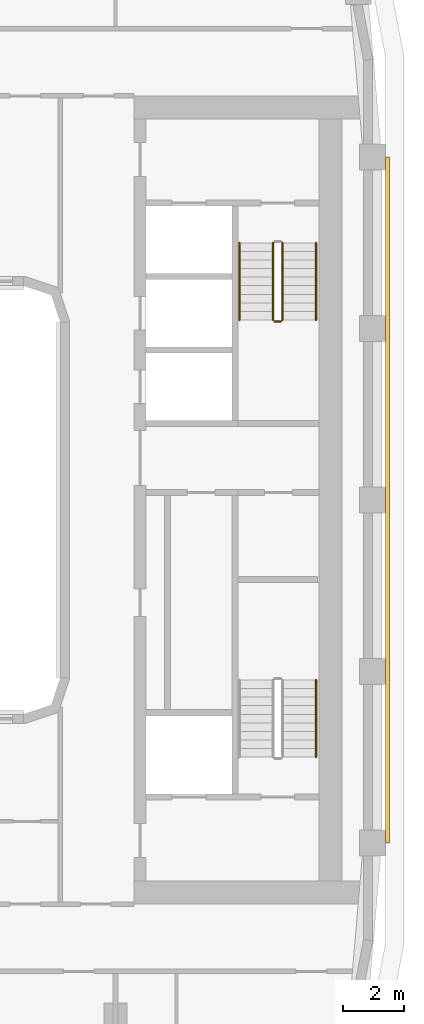
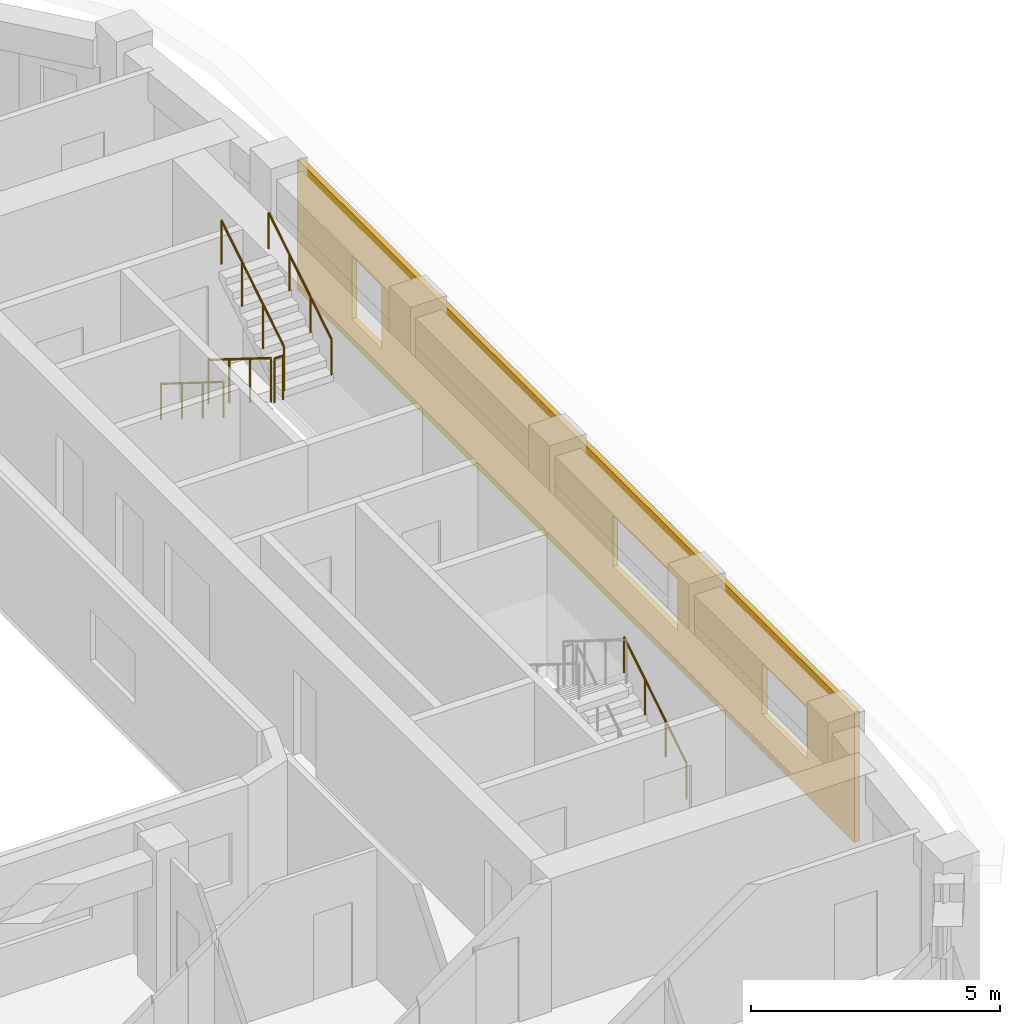
# One storey, part 18 of 21: 6 railings, 1 covering.
"""IFC4 building model written with IfcOpenShell, lengths in metres."""

from ifc_helpers import new_model, si_unit, direction, frame, origin, origin_2d, place, context, subcontext, project, spatial, polyline, circle, outline, extrude, material, layer, layer_set, type_object, element, save


model = new_model("IFC4")

# Units and contexts
model_context = context("Model", 3, precision=1e-05, world=origin(), true_north=direction((0.0, 1.0)))
body_context = subcontext(model_context, "Body", "Model", "MODEL_VIEW")
ifc_project = project(units=[si_unit("LENGTHUNIT", "METRE"), si_unit("AREAUNIT", "SQUARE_METRE"), si_unit("VOLUMEUNIT", "CUBIC_METRE"), si_unit("PLANEANGLEUNIT", "RADIAN"), si_unit("MASSUNIT", "GRAM", prefix="KILO")], contexts=[model_context])

# Site, building, storey
site_placement = place(None, origin())
site = spatial("IfcSite", under=ifc_project, at=site_placement, CompositionType="ELEMENT")
building_placement = place(site_placement, origin())
building = spatial("IfcBuilding", under=site, at=building_placement, Name="Kiln Ring Residences", CompositionType="ELEMENT")
storey_placement = place(building_placement, frame((0.0, 0.0, 223.89990234375)))
storey = spatial("IfcBuildingStorey", under=building, at=storey_placement, Name="L58", CompositionType="ELEMENT", Elevation=223.89990234375)

# Railings
ifc_material_1 = material(Name="Stainless steel", Category="steel")
railing_type_1 = type_object("IfcRailingType", Name="CORE-STAIR-GUARD", PredefinedType="GUARDRAIL", material=ifc_material_1)
railing_1_placement = place(storey_placement, frame((21.949951171875, 8.39990234375, 0.175048828125)))
element("IfcRailing", 1, at=railing_1_placement, inside=storey, type_object=railing_type_1, Name="L58 E-STN stair guard 1", PredefinedType="GUARDRAIL", context=body_context, shape_type="SweptSolid", body=[
    extrude(circle(Radius=0.02392578125, at=origin_2d()), frame((0.0, 0.0, 1.076171875), z_axis=(0.0, -0.848007534815, 0.529984170421), x_axis=(1.0, 0.0, 0.0)), (0.0, 0.0, 1.0), 2.9716796875),
    extrude(circle(Radius=0.02099609375, at=origin_2d()), origin(), (0.0, 0.0, 1.0), 1.052001953125),
    extrude(circle(Radius=0.02099609375, at=origin_2d()), frame((0.0, -0.840087890625, 0.52490234375)), (0.0, 0.0, 1.0), 1.052001953125),
    extrude(circle(Radius=0.02099609375, at=origin_2d()), frame((0.0, -1.679931640625, 1.050048828125)), (0.0, 0.0, 1.0), 1.052001953125),
    extrude(circle(Radius=0.02099609375, at=origin_2d()), frame((0.0, -2.52001953125, 1.574951171875)), (0.0, 0.0, 1.0), 1.052001953125),
])
railing_2_placement = place(storey_placement, frame((22.0, 5.830078125, 1.75)))
element("IfcRailing", 2, at=railing_2_placement, inside=storey, type_object=railing_type_1, Name="L58 E-STN stair guard 2", PredefinedType="GUARDRAIL", context=body_context, shape_type="SweptSolid", body=[
    extrude(circle(Radius=0.02392578125, at=origin_2d()), frame((0.0, 0.0, 1.076171875), z_axis=(1.0, 0.0, 0.0), x_axis=(0.0, 1.0, 0.0)), (0.0, 0.0, 1.0), 0.199951171875),
    extrude(circle(Radius=0.02099609375, at=origin_2d()), origin(), (0.0, 0.0, 1.0), 1.052001953125),
    extrude(circle(Radius=0.02099609375, at=origin_2d()), frame((0.199951171875, 0.0, 0.0)), (0.0, 0.0, 1.0), 1.052001953125),
])
railing_3_placement = place(storey_placement, frame((22.25, 5.8798828125, 1.925048828125)))
element("IfcRailing", 3, at=railing_3_placement, inside=storey, type_object=railing_type_1, Name="L58 E-STN stair guard 3", PredefinedType="GUARDRAIL", context=body_context, shape_type="SweptSolid", body=[
    extrude(circle(Radius=0.02392578125, at=origin_2d()), frame((0.0, 0.0, 1.076171875), z_axis=(0.0, 0.848007534815, 0.529984170421), x_axis=(-1.0, 0.0, 0.0)), (0.0, 0.0, 1.0), 2.9716796875),
    extrude(circle(Radius=0.02099609375, at=origin_2d()), origin(), (0.0, 0.0, 1.0), 1.052001953125),
    extrude(circle(Radius=0.02099609375, at=origin_2d()), frame((0.0, 0.840087890625, 0.52490234375)), (0.0, 0.0, 1.0), 1.052001953125),
    extrude(circle(Radius=0.02099609375, at=origin_2d()), frame((0.0, 1.679931640625, 1.050048828125)), (0.0, 0.0, 1.0), 1.052001953125),
    extrude(circle(Radius=0.02099609375, at=origin_2d()), frame((0.0, 2.52001953125, 1.574951171875)), (0.0, 0.0, 1.0), 1.052001953125),
])
ifc_material_2 = material(Name="Stainless steel", Category="steel")
railing_type_2 = type_object("IfcRailingType", Name="CORE-STAIR-HANDRAIL", PredefinedType="HANDRAIL", material=ifc_material_2)
railing_4_placement = place(storey_placement, frame((20.85009765625, 8.39990234375, 0.175048828125)))
element("IfcRailing", 4, at=railing_4_placement, inside=storey, type_object=railing_type_2, Name="L58 E-STN stair handrail 1", PredefinedType="HANDRAIL", context=body_context, shape_type="SweptSolid", body=[
    extrude(circle(Radius=0.02392578125, at=origin_2d()), frame((0.0, 0.0, 0.8759765625), z_axis=(0.0, -0.848007534815, 0.529984170421), x_axis=(1.0, 0.0, 0.0)), (0.0, 0.0, 1.0), 2.9716796875),
    extrude(circle(Radius=0.02099609375, at=origin_2d()), origin(), (0.0, 0.0, 1.0), 0.851806640625),
    extrude(circle(Radius=0.02099609375, at=origin_2d()), frame((0.0, -0.840087890625, 0.52490234375)), (0.0, 0.0, 1.0), 0.851806640625),
    extrude(circle(Radius=0.02099609375, at=origin_2d()), frame((0.0, -1.679931640625, 1.050048828125)), (0.0, 0.0, 1.0), 0.851806640625),
    extrude(circle(Radius=0.02099609375, at=origin_2d()), frame((0.0, -2.52001953125, 1.574951171875)), (0.0, 0.0, 1.0), 0.851806640625),
])
for number, where, name in (
    (5, (23.35009765625, 5.8798828125, 1.925048828125), "L58 E-STN stair handrail 2"),
    (6, (23.35009765625, -8.39990234375, 0.175048828125), "L58 E-STS stair handrail 1"),
):
    element("IfcRailing", number, at=place(storey_placement, frame(where)), inside=storey, type_object=railing_type_2, Name=name, PredefinedType="HANDRAIL", context=body_context, shape_type="SweptSolid", body=[
        extrude(circle(Radius=0.02392578125, at=origin_2d()), frame((0.0, 0.0, 0.8759765625), z_axis=(0.0, 0.848007534815, 0.529984170421), x_axis=(-1.0, 0.0, 0.0)), (0.0, 0.0, 1.0), 2.9716796875),
        extrude(circle(Radius=0.02099609375, at=origin_2d()), origin(), (0.0, 0.0, 1.0), 0.851806640625),
        extrude(circle(Radius=0.02099609375, at=origin_2d()), frame((0.0, 0.840087890625, 0.52490234375)), (0.0, 0.0, 1.0), 0.851806640625),
        extrude(circle(Radius=0.02099609375, at=origin_2d()), frame((0.0, 1.679931640625, 1.050048828125)), (0.0, 0.0, 1.0), 0.851806640625),
        extrude(circle(Radius=0.02099609375, at=origin_2d()), frame((0.0, 2.52001953125, 1.574951171875)), (0.0, 0.0, 1.0), 0.851806640625),
    ])

# Covering
ifc_material_3 = material(Name="Brick masonry, dark clay brick", Category="masonry")
ifc_layer = layer(ifc_material_3, 0.1201171875)
ifc_layer_set = layer_set([ifc_layer], Name="RAINSCREEN PANEL 120")
covering_type = type_object("IfcCoveringType", Name="RAINSCREEN PANEL 120", PredefinedType="CLADDING", material=ifc_layer_set)
covering_placement = place(storey_placement, frame((25.68505859375, -11.199951171875, 0.0), z_axis=(0.0, 0.0, 1.0), x_axis=(0.0, 1.0, 0.0)))
element("IfcCovering", 7, at=covering_placement, inside=storey, type_object=covering_type, Name="RAINSCREEN L58", PredefinedType="CLADDING", context=body_context, shape_type="SweptSolid", body=[
    extrude(outline(polyline([(0.0, 0.0), (22.39990234375, 0.0), (22.39990234375, 3.2001953125), (0.0, 3.2001953125), (0.0, 0.0)]), holes=[polyline([(20.199951171875, 2.150146484375), (19.0, 2.150146484375), (19.0, 0.60009765625), (20.199951171875, 0.60009765625), (20.199951171875, 2.150146484375)]), polyline([(3.699951171875, 0.900146484375), (3.699951171875, 2.150146484375), (1.89990234375, 2.150146484375), (1.89990234375, 0.900146484375), (3.699951171875, 0.900146484375)]), polyline([(9.699951171875, 0.900146484375), (9.699951171875, 2.150146484375), (7.10009765625, 2.150146484375), (7.10009765625, 0.900146484375), (9.699951171875, 0.900146484375)])]), frame((0.0, 0.06005859375, 0.0), z_axis=(0.0, -1.0, 0.0), x_axis=(1.0, 0.0, 0.0)), (0.0, 0.0, 1.0), 0.1201171875),
])

save(model, "model.ifc")
